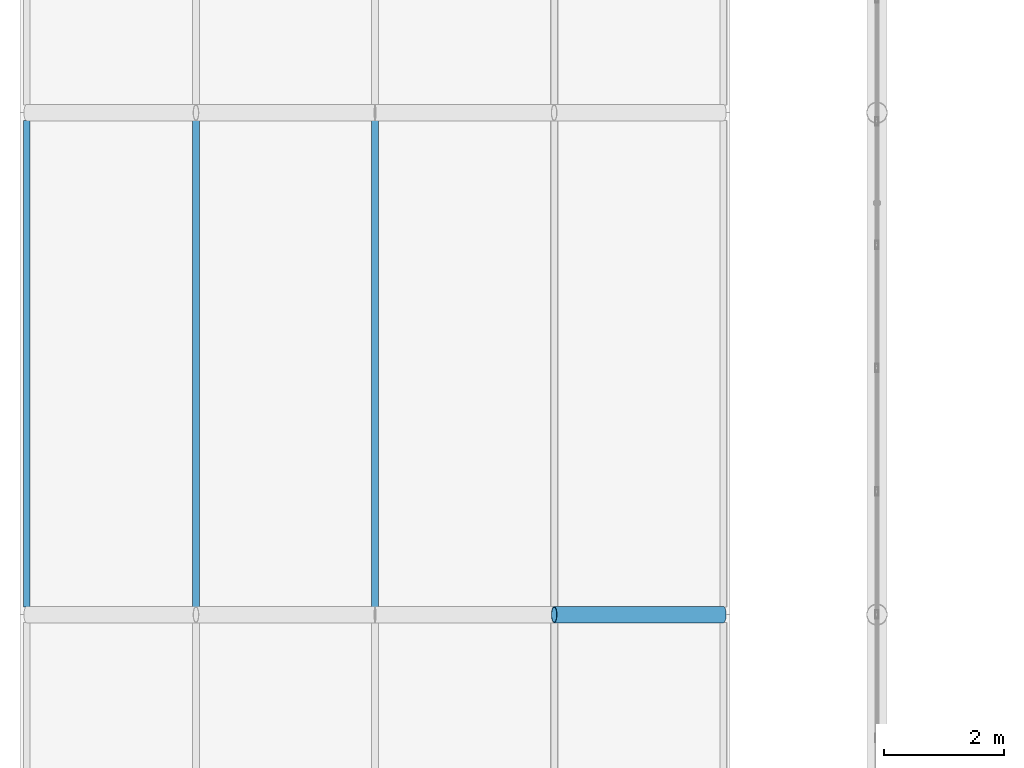
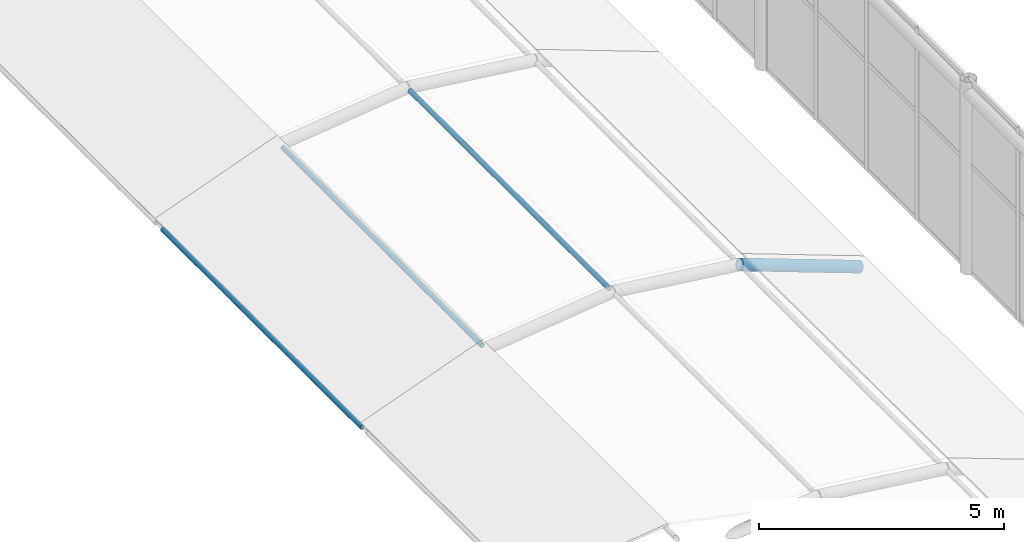
# One storey, part 66 of 167: 4 members.
"""IFC4 building model written with IfcOpenShell, lengths in metres."""

from ifc_helpers import new_model, si_unit, direction, frame, origin, origin_2d, place, context, subcontext, project, spatial, hollow_circle, extrude, material, material_profile, profile_set, type_object, element, save


model = new_model("IFC4")

# Units and contexts
model_context = context("Model", 3, precision=1e-05, world=origin(), true_north=direction((0.0, 1.0)))
body_context = subcontext(model_context, "Body", "Model", "MODEL_VIEW")
ifc_project = project(units=[si_unit("LENGTHUNIT", "METRE"), si_unit("AREAUNIT", "SQUARE_METRE"), si_unit("VOLUMEUNIT", "CUBIC_METRE"), si_unit("PLANEANGLEUNIT", "RADIAN"), si_unit("MASSUNIT", "GRAM", prefix="KILO")], contexts=[model_context])

# Site, building, storey
site_placement = place(None, origin())
site = spatial("IfcSite", under=ifc_project, at=site_placement, CompositionType="ELEMENT")
building_placement = place(site_placement, origin())
building = spatial("IfcBuilding", under=site, at=building_placement, Name="Catenary Quay Ferry Terminal", CompositionType="ELEMENT")
storey_placement = place(building_placement, frame((0.0, 0.0, 6.0)))
storey = spatial("IfcBuildingStorey", under=building, at=storey_placement, Name="L01", CompositionType="ELEMENT", Elevation=6.0)

# Members
ifc_material_1 = material(Name="Steel S355", Category="steel")
ifc_material_profile_1 = material_profile(ifc_material_1, hollow_circle(Radius=0.05712890625, WallThickness=0.00634765625, at=origin_2d()), Name="CHS 114.3x6.3")
ifc_profile_set_1 = profile_set([ifc_material_profile_1], Name="Steel S355")
member_type_1 = type_object("IfcMemberType", Name="PU2 CHS 114.3x6.3", PredefinedType="PURLIN", material=ifc_profile_set_1)
for number, where, z_axis, x_axis, name in (
    (1, (10.970947265625, 126.1298828125, 0.98388671875), (0.0, 1.0, 0.0), (-1.0, 0.0, 0.0), "Purlin PU-FC-08-01"),
    (2, (13.802978515625, 126.1298828125, 2.031005859375), (0.0, 1.0, 0.0), (-1.0, 0.0, 0.0), "Purlin PU-FC-08-02"),
    (3, (16.800048828125, 126.1298828125, 2.39990234375), (0.0, 1.0, 0.0), (-1.0, 0.0, 0.0), "Purlin PU-FC-08-03"),
):
    element("IfcMember", number, at=place(storey_placement, frame(where, z_axis=z_axis, x_axis=x_axis)), inside=storey, type_object=member_type_1, Name=name, PredefinedType="PURLIN", context=body_context, shape_type="SweptSolid", body=[
        extrude(hollow_circle(Radius=0.05712890625, WallThickness=0.00634765625, at=origin_2d()), origin(), (0.0, 0.0, 1.0), 8.14013671875),
    ])
ifc_material_2 = material(Name="Steel S355", Category="steel")
ifc_material_profile_2 = material_profile(ifc_material_2, hollow_circle(Radius=0.136474609375, WallThickness=0.012451171875, at=origin_2d()), Name="CHS 273x12.5")
ifc_profile_set_2 = profile_set([ifc_material_profile_2], Name="Steel S355")
member_type_2 = type_object("IfcMemberType", Name="VR2 CHS 273x12.5", PredefinedType="RAFTER", material=ifc_profile_set_2)
member_placement = place(storey_placement, frame((19.797119140625, 126.0, 2.031005859375), z_axis=(0.93793103669, 0.0, -0.346821813636), x_axis=(0.0, 1.0, 0.0)))
element("IfcMember", 4, at=member_placement, inside=storey, type_object=member_type_2, Name="rib FC-08-05", PredefinedType="RAFTER", context=body_context, shape_type="SweptSolid", body=[
    extrude(hollow_circle(Radius=0.136474609375, WallThickness=0.012451171875, at=origin_2d()), origin(), (0.0, 0.0, 1.0), 3.019287109375),
])

save(model, "model.ifc")
